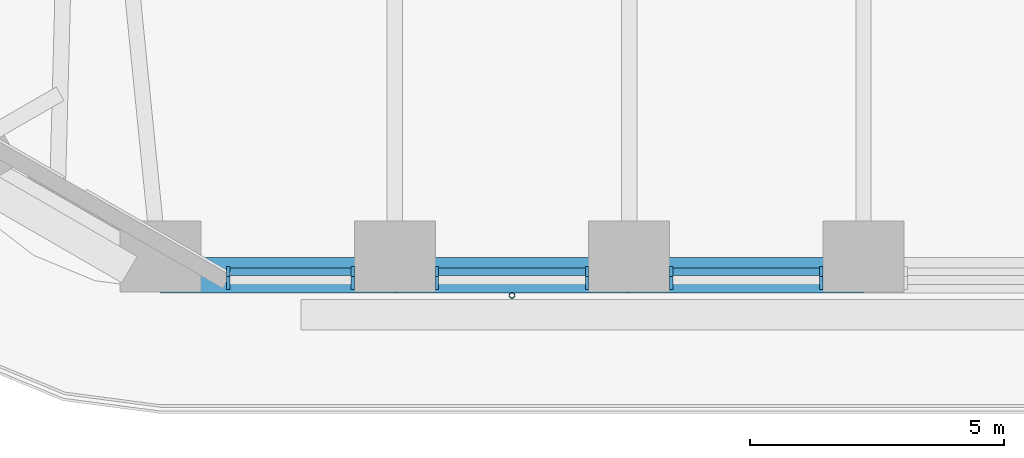
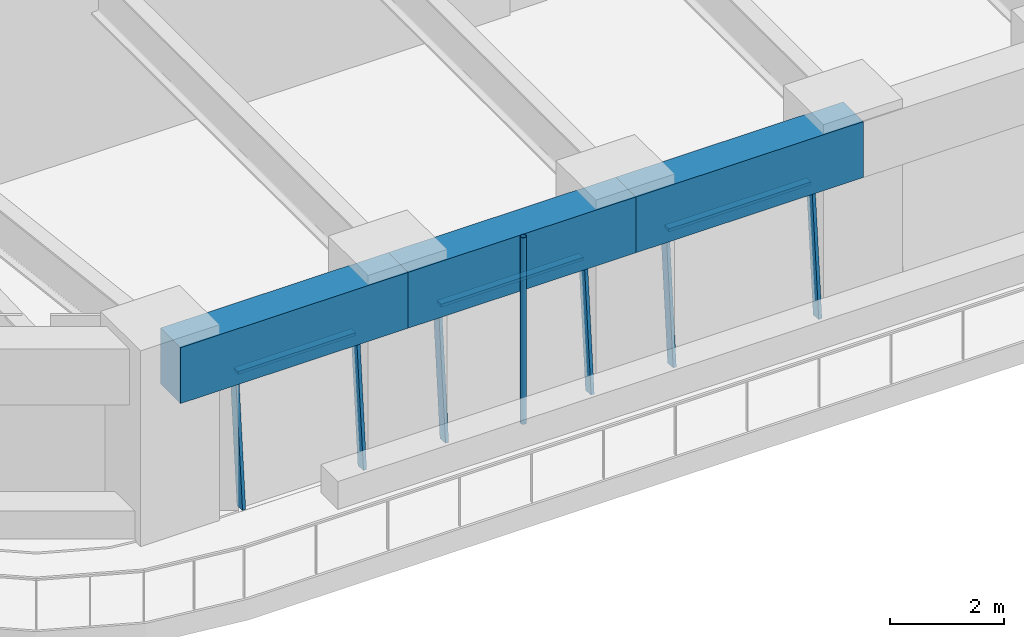
# One storey, part 2 of 20: 10 members, 3 beams, 3 elements without a shape of their own.
"""IFC4 building model written with IfcOpenShell, lengths in metres."""

from ifc_helpers import new_model, si_unit, direction, frame, origin, origin_2d, place, context, subcontext, project, spatial, rectangle, hollow_circle, extrude, material, material_profile, profile_set, type_object, element, aggregate, save


model = new_model("IFC4")

# Units and contexts
model_context = context("Model", 3, precision=1e-05, world=origin(), true_north=direction((0.0, 1.0)))
body_context = subcontext(model_context, "Body", "Model", "MODEL_VIEW")
ifc_project = project(units=[si_unit("LENGTHUNIT", "METRE"), si_unit("AREAUNIT", "SQUARE_METRE"), si_unit("VOLUMEUNIT", "CUBIC_METRE"), si_unit("PLANEANGLEUNIT", "RADIAN"), si_unit("MASSUNIT", "GRAM", prefix="KILO")], contexts=[model_context])

# Site, building, storey
site_placement = place(None, origin())
site = spatial("IfcSite", under=ifc_project, at=site_placement, CompositionType="ELEMENT")
building_placement = place(site_placement, origin())
building = spatial("IfcBuilding", under=site, at=building_placement, Name="Tarfa Lantern Tower", CompositionType="ELEMENT")
storey_placement = place(building_placement, frame((0.0, 0.0, 232.300048828125)))
storey = spatial("IfcBuildingStorey", under=building, at=storey_placement, Name="L52", CompositionType="ELEMENT", Elevation=232.300048828125)

# Curtain wall, members
ifc_material_1 = material(Name="Aluminium framed curtain wall", Category="aluminium")
curtain_wall_type = type_object("IfcCurtainWallType", Name="CW3 CANTED GLAZING HIGH ZONE 2800", PredefinedType="USERDEFINED", material=ifc_material_1)
curtain_wall_1_placement = place(storey_placement, origin())
curtain_wall_1 = element("IfcCurtainWall", 1, at=curtain_wall_1_placement, inside=storey, type_object=curtain_wall_type, Name="CW3 S L52", ObjectType="CURTAIN WALL", PredefinedType="USERDEFINED")
ifc_material_2 = material(Name="Aluminium mullion", Category="aluminium")
ifc_material_profile_1 = material_profile(ifc_material_2, rectangle(XDim=0.06494140625, YDim=0.199951171875, at=origin_2d()), Name="AL MULLION 65x200")
ifc_profile_set_1 = profile_set([ifc_material_profile_1], Name="Aluminium mullion")
member_type_1 = type_object("IfcMemberType", Name="CWM1 MULLION 65x200", PredefinedType="MULLION", material=ifc_profile_set_1)
member_1_placement = place(storey_placement, frame((-12.52392578125, -28.89990234375, 0.0), z_axis=(0.0, 0.088930399417, 0.996037842685), x_axis=(-1.0, 0.0, 0.0)))
member_1 = element("IfcMember", 2, at=member_1_placement, type_object=member_type_1, Name="CW3 mullion 1", PredefinedType="MULLION", context=body_context, shape_type="SweptSolid", body=[
    extrude(rectangle(XDim=0.06494140625, YDim=0.199951171875, at=origin_2d()), origin(), (0.0, 0.0, 1.0), 2.811279296875),
])
member_2_placement = place(storey_placement, frame((-10.070068359375, -28.89990234375, 0.0), z_axis=(0.0, 0.088930399417, 0.996037842685), x_axis=(-1.0, 0.0, 0.0)))
member_2 = element("IfcMember", 3, at=member_2_placement, type_object=member_type_1, Name="CW3 mullion 2", PredefinedType="MULLION", context=body_context, shape_type="SweptSolid", body=[
    extrude(rectangle(XDim=0.06494140625, YDim=0.199951171875, at=origin_2d()), origin(), (0.0, 0.0, 1.0), 2.811279296875),
])

curtain_wall_2_placement = place(storey_placement, origin())
curtain_wall_2 = element("IfcCurtainWall", 4, at=curtain_wall_2_placement, inside=storey, type_object=curtain_wall_type, Name="CW3 S L52", ObjectType="CURTAIN WALL", PredefinedType="USERDEFINED")
member_3_placement = place(storey_placement, frame((-8.405029296875, -28.89990234375, 0.0), z_axis=(0.0, 0.088930399417, 0.996037842685), x_axis=(-1.0, 0.0, 0.0)))
member_3 = element("IfcMember", 5, at=member_3_placement, type_object=member_type_1, Name="CW3 mullion 1", PredefinedType="MULLION", context=body_context, shape_type="SweptSolid", body=[
    extrude(rectangle(XDim=0.06494140625, YDim=0.199951171875, at=origin_2d()), origin(), (0.0, 0.0, 1.0), 2.811279296875),
])
member_4_placement = place(storey_placement, frame((-5.451416015625, -28.89990234375, 0.0), z_axis=(0.0, 0.088930399417, 0.996037842685), x_axis=(-1.0, 0.0, 0.0)))
member_4 = element("IfcMember", 6, at=member_4_placement, type_object=member_type_1, Name="CW3 mullion 2", PredefinedType="MULLION", context=body_context, shape_type="SweptSolid", body=[
    extrude(rectangle(XDim=0.06494140625, YDim=0.199951171875, at=origin_2d()), origin(), (0.0, 0.0, 1.0), 2.811279296875),
])

curtain_wall_3_placement = place(storey_placement, origin())
curtain_wall_3 = element("IfcCurtainWall", 7, at=curtain_wall_3_placement, inside=storey, type_object=curtain_wall_type, Name="CW3 S L52", ObjectType="CURTAIN WALL", PredefinedType="USERDEFINED")
member_5_placement = place(storey_placement, frame((-3.786376953125, -28.89990234375, 0.0), z_axis=(0.0, 0.088930399417, 0.996037842685), x_axis=(-1.0, 0.0, 0.0)))
member_5 = element("IfcMember", 8, at=member_5_placement, type_object=member_type_1, Name="CW3 mullion 1", PredefinedType="MULLION", context=body_context, shape_type="SweptSolid", body=[
    extrude(rectangle(XDim=0.06494140625, YDim=0.199951171875, at=origin_2d()), origin(), (0.0, 0.0, 1.0), 2.811279296875),
])
member_6_placement = place(storey_placement, frame((-0.83251953125, -28.89990234375, 0.0), z_axis=(0.0, 0.088930399417, 0.996037842685), x_axis=(-1.0, 0.0, 0.0)))
member_6 = element("IfcMember", 9, at=member_6_placement, type_object=member_type_1, Name="CW3 mullion 2", PredefinedType="MULLION", context=body_context, shape_type="SweptSolid", body=[
    extrude(rectangle(XDim=0.06494140625, YDim=0.199951171875, at=origin_2d()), origin(), (0.0, 0.0, 1.0), 2.811279296875),
])

# Member
ifc_material_3 = material(Name="Aluminium transom", Category="aluminium")
ifc_material_profile_2 = material_profile(ifc_material_3, rectangle(XDim=0.14990234375, YDim=0.06494140625, at=origin_2d()), Name="AL TRANSOM 150x65")
ifc_profile_set_2 = profile_set([ifc_material_profile_2], Name="Aluminium transom")
member_type_2 = type_object("IfcMemberType", Name="CWT1 TRANSOM 150x65", PredefinedType="USERDEFINED", material=ifc_profile_set_2)
member_7_placement = place(storey_placement, frame((-12.491455078125, -28.65283203125, 2.767333984375), z_axis=(1.0, 0.0, 0.0), x_axis=(0.0, 1.0, 0.0)))
member_7 = element("IfcMember", 10, at=member_7_placement, type_object=member_type_2, Name="CW3 transom 1.2", ObjectType="TRANSOM", PredefinedType="USERDEFINED", context=body_context, shape_type="SweptSolid", body=[
    extrude(rectangle(XDim=0.14990234375, YDim=0.06494140625, at=origin_2d()), origin(), (0.0, 0.0, 1.0), 2.388916015625),
])

aggregate(curtain_wall_1, [member_1, member_2, member_7])

member_8_placement = place(storey_placement, frame((-8.37255859375, -28.65283203125, 2.767333984375), z_axis=(1.0, 0.0, 0.0), x_axis=(0.0, 1.0, 0.0)))
member_8 = element("IfcMember", 11, at=member_8_placement, type_object=member_type_2, Name="CW3 transom 1.2", ObjectType="TRANSOM", PredefinedType="USERDEFINED", context=body_context, shape_type="SweptSolid", body=[
    extrude(rectangle(XDim=0.14990234375, YDim=0.06494140625, at=origin_2d()), origin(), (0.0, 0.0, 1.0), 2.888671875),
])

aggregate(curtain_wall_2, [member_3, member_4, member_8])

member_9_placement = place(storey_placement, frame((-3.75390625, -28.65283203125, 2.767333984375), z_axis=(1.0, 0.0, 0.0), x_axis=(0.0, 1.0, 0.0)))
member_9 = element("IfcMember", 12, at=member_9_placement, type_object=member_type_2, Name="CW3 transom 1.2", ObjectType="TRANSOM", PredefinedType="USERDEFINED", context=body_context, shape_type="SweptSolid", body=[
    extrude(rectangle(XDim=0.14990234375, YDim=0.06494140625, at=origin_2d()), origin(), (0.0, 0.0, 1.0), 2.888916015625),
])

aggregate(curtain_wall_3, [member_5, member_6, member_9])

# Beams
ifc_material_4 = material(Name="Concrete C80/95", Category="concrete")
ifc_material_profile_3 = material_profile(ifc_material_4, rectangle(XDim=0.699951171875, YDim=1.199951171875, at=origin_2d()), Name="RC 700x1200")
ifc_profile_set_3 = profile_set([ifc_material_profile_3], Name="Concrete C80/95")
beam_type = type_object("IfcBeamType", Name="EB3 RC 700x1200", PredefinedType="SPANDREL", material=ifc_profile_set_3)
beam_1_placement = place(storey_placement, frame((-13.8564453125, -28.719970703125, 3.39990234375), z_axis=(1.0, 0.0, 0.0), x_axis=(0.0, 1.0, 0.0)))
element("IfcBeam", 13, at=beam_1_placement, inside=storey, type_object=beam_type, Name="Edge beam S0", PredefinedType="SPANDREL", context=body_context, shape_type="SweptSolid", body=[
    extrude(rectangle(XDim=0.699951171875, YDim=1.199951171875, at=origin_2d()), origin(), (0.0, 0.0, 1.0), 4.618896484375),
])
beam_2_placement = place(storey_placement, frame((-9.237548828125, -28.719970703125, 3.39990234375), z_axis=(1.0, 0.0, 0.0), x_axis=(0.0, 1.0, 0.0)))
element("IfcBeam", 14, at=beam_2_placement, inside=storey, type_object=beam_type, Name="Edge beam S1", PredefinedType="SPANDREL", context=body_context, shape_type="SweptSolid", body=[
    extrude(rectangle(XDim=0.699951171875, YDim=1.199951171875, at=origin_2d()), origin(), (0.0, 0.0, 1.0), 4.61865234375),
])
beam_3_placement = place(storey_placement, frame((-4.618896484375, -28.719970703125, 3.39990234375), z_axis=(1.0, 0.0, 0.0), x_axis=(0.0, 1.0, 0.0)))
element("IfcBeam", 15, at=beam_3_placement, inside=storey, type_object=beam_type, Name="Edge beam S2", PredefinedType="SPANDREL", context=body_context, shape_type="SweptSolid", body=[
    extrude(rectangle(XDim=0.699951171875, YDim=1.199951171875, at=origin_2d()), origin(), (0.0, 0.0, 1.0), 4.618896484375),
])

# Member
ifc_material_5 = material(Name="Steel S355", Category="steel")
ifc_material_profile_4 = material_profile(ifc_material_5, hollow_circle(Radius=0.05712890625, WallThickness=0.00634765625, at=origin_2d()), Name="CHS114.3x6.3")
ifc_profile_set_4 = profile_set([ifc_material_profile_4], Name="Steel S355")
member_type_3 = type_object("IfcMemberType", Name="TR1 GREEN WALL TRELLIS CHS114.3x6.3", PredefinedType="USERDEFINED", material=ifc_profile_set_4)
member_10_placement = place(storey_placement, frame((-6.92822265625, -29.1201171875, 0.0), z_axis=(0.0, 0.0, 1.0), x_axis=(1.0, 0.0, 0.0)))
element("IfcMember", 16, at=member_10_placement, inside=storey, type_object=member_type_3, Name="Trellis post S 1", ObjectType="TRELLIS", PredefinedType="USERDEFINED", context=body_context, shape_type="SweptSolid", body=[
    extrude(hollow_circle(Radius=0.05712890625, WallThickness=0.00634765625, at=origin_2d()), origin(), (0.0, 0.0, 1.0), 4.0),
])

save(model, "model.ifc")
